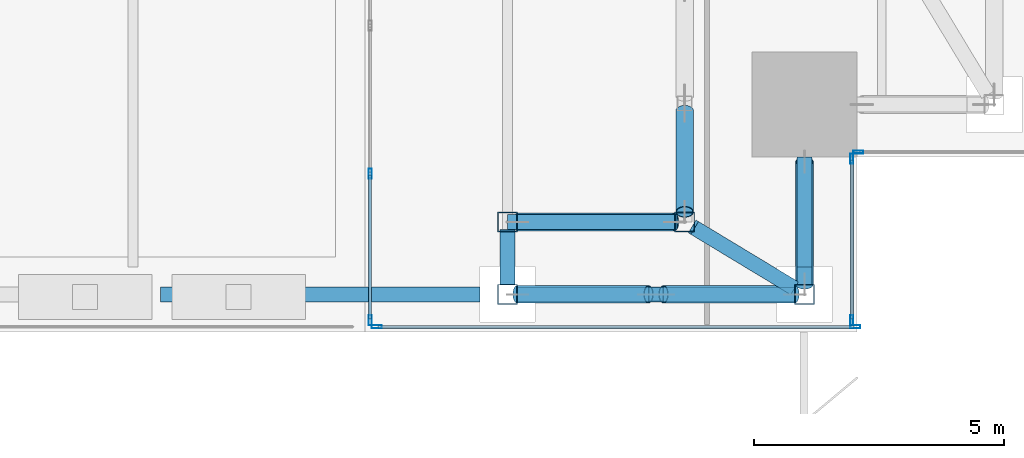
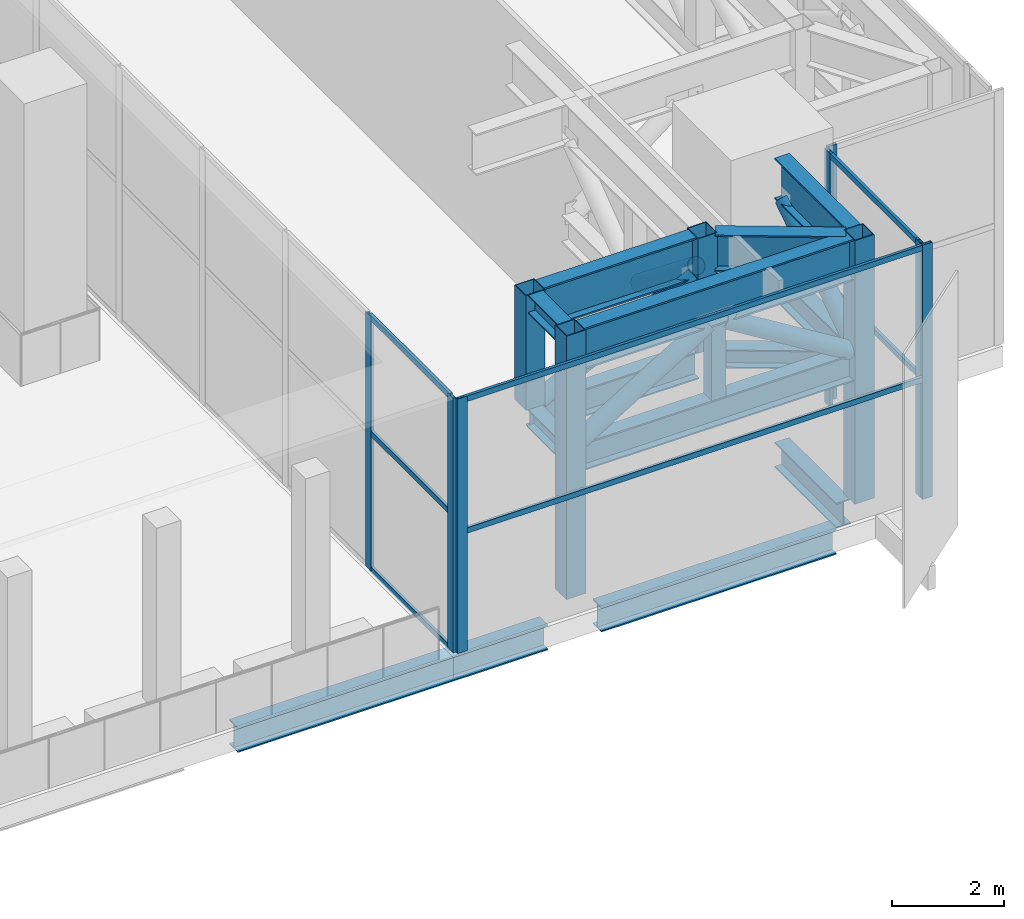
# One storey, part 12 of 47: 30 members, 7 beams, 4 elements without a shape of their own.
"""IFC4 building model written with IfcOpenShell, lengths in metres."""

from ifc_helpers import new_model, si_unit, direction, frame, origin, origin_2d, place, context, subcontext, project, spatial, hollow_rectangle, hollow_circle, i_section, extrude, source, transform, mapped, material, material_profile, profile_set, type_object, element, aggregate, save


model = new_model("IFC4")

# Units and contexts
model_context = context("Model", 3, precision=1e-05, world=origin(), true_north=direction((0.0, 1.0)))
body_context = subcontext(model_context, "Body", "Model", "MODEL_VIEW")
ifc_project = project(units=[si_unit("LENGTHUNIT", "METRE"), si_unit("AREAUNIT", "SQUARE_METRE"), si_unit("VOLUMEUNIT", "CUBIC_METRE"), si_unit("PLANEANGLEUNIT", "RADIAN"), si_unit("MASSUNIT", "GRAM", prefix="KILO")], contexts=[model_context])

# Site, building, storey
site_placement = place(None, origin())
site = spatial("IfcSite", under=ifc_project, at=site_placement, CompositionType="ELEMENT")
building_placement = place(site_placement, origin())
building = spatial("IfcBuilding", under=site, at=building_placement, Name="Khomas Fold Tower", CompositionType="ELEMENT")
storey_placement = place(building_placement, frame((0.0, 0.0, 158.699951171875)))
storey = spatial("IfcBuildingStorey", under=building, at=storey_placement, Name="L34", CompositionType="ELEMENT", Elevation=158.699951171875)

# Beams
ifc_material_1 = material(Name="Steel S355", Category="steel")
ifc_material_profile_1 = material_profile(ifc_material_1, i_section(OverallWidth=0.300048828125, OverallDepth=0.550048828125, WebThickness=0.014892578125, FlangeThickness=0.029052734375, at=origin_2d()), Name="HE 550 B")
ifc_profile_set_1 = profile_set([ifc_material_profile_1], Name="Steel S355")
beam_type_1 = type_object("IfcBeamType", Name="HE 550 B spandrel SB2", PredefinedType="SPANDREL", material=ifc_profile_set_1)
shared_shape_1 = source(origin(), body_context, "Body", "SweptSolid", [
    extrude(i_section(OverallWidth=0.300048828125, OverallDepth=0.550048828125, WebThickness=0.014892578125, FlangeThickness=0.029052734375, at=origin_2d()), origin(), (0.0, 0.0, 1.0), 4.849853515625),
])
beam_1_placement = place(storey_placement, frame((42.550048828125, 2.25, -0.724853515625), z_axis=(1.0, 0.0, 0.0), x_axis=(0.0, 1.0, 0.0)))
element("IfcBeam", 1, at=beam_1_placement, inside=storey, type_object=beam_type_1, Name="SB2", PredefinedType="SPANDREL", context=body_context, shape_type="MappedRepresentation", body=[
    mapped(shared_shape_1, transform((0.0, 0.0, 0.0))),
])
shared_shape_2 = source(origin(), body_context, "Body", "SweptSolid", [
    extrude(i_section(OverallWidth=0.300048828125, OverallDepth=0.550048828125, WebThickness=0.014892578125, FlangeThickness=0.029052734375, at=origin_2d()), origin(), (0.0, 0.0, 1.0), 6.39990234375),
])
beam_2_placement = place(storey_placement, frame((35.050048828125, 2.25, -0.724853515625), z_axis=(1.0, 0.0, 0.0), x_axis=(0.0, 1.0, 0.0)))
element("IfcBeam", 2, at=beam_2_placement, inside=storey, type_object=beam_type_1, Name="SB2", PredefinedType="SPANDREL", context=body_context, shape_type="MappedRepresentation", body=[
    mapped(shared_shape_2, transform((0.0, 0.0, 0.0))),
])
shared_shape_3 = source(origin(), body_context, "Body", "SweptSolid", [
    extrude(i_section(OverallWidth=0.300048828125, OverallDepth=0.550048828125, WebThickness=0.014892578125, FlangeThickness=0.029052734375, at=origin_2d()), origin(), (0.0, 0.0, 1.0), 2.199951171875),
])
beam_3_placement = place(storey_placement, frame((47.949951171875, 2.800048828125, -0.724853515625), z_axis=(0.0, 1.0, 0.0), x_axis=(-1.0, 0.0, 0.0)))
element("IfcBeam", 3, at=beam_3_placement, inside=storey, type_object=beam_type_1, Name="SB2", PredefinedType="SPANDREL", context=body_context, shape_type="MappedRepresentation", body=[
    mapped(shared_shape_3, transform((0.0, 0.0, 0.0))),
])

# Members
ifc_material_2 = material(Name="Steel S460M", Category="steel")
ifc_material_profile_2 = material_profile(ifc_material_2, i_section(OverallWidth=0.300048828125, OverallDepth=0.89990234375, WebThickness=0.0185546875, FlangeThickness=0.034912109375, at=origin_2d()), Name="HE 900 B")
ifc_profile_set_2 = profile_set([ifc_material_profile_2], Name="Steel S460M")
member_type_1 = type_object("IfcMemberType", Name="BELT TRUSS 2 TOP CHORD HE 900 B", PredefinedType="CHORD", material=ifc_profile_set_2)
shared_shape_4 = source(origin(), body_context, "Body", "SweptSolid", [
    extrude(i_section(OverallWidth=0.300048828125, OverallDepth=0.89990234375, WebThickness=0.0185546875, FlangeThickness=0.034912109375, at=origin_2d()), origin(), (0.0, 0.0, 1.0), 5.550048828125),
])
member_1_placement = place(storey_placement, frame((42.199951171875, 2.25, 5.300048828125), z_axis=(1.0, 0.0, 0.0), x_axis=(0.0, 1.0, 0.0)))
element("IfcMember", 4, at=member_1_placement, inside=storey, type_object=member_type_1, Name="BT2-CT", PredefinedType="CHORD", context=body_context, shape_type="MappedRepresentation", body=[
    mapped(shared_shape_4, transform((0.0, 0.0, 0.0))),
])
ifc_material_3 = material(Name="Steel S355", Category="steel")
ifc_material_profile_3 = material_profile(ifc_material_3, i_section(OverallWidth=0.300048828125, OverallDepth=0.60009765625, WebThickness=0.015380859375, FlangeThickness=0.030029296875, at=origin_2d()), Name="HE 600 B")
ifc_profile_set_3 = profile_set([ifc_material_profile_3], Name="Steel S355")
member_type_2 = type_object("IfcMemberType", Name="BELT TRUSS 2 BOTTOM CHORD SHORT HE 600 B", PredefinedType="CHORD", material=ifc_profile_set_3)
shared_shape_5 = source(origin(), body_context, "Body", "SweptSolid", [
    extrude(i_section(OverallWidth=0.300048828125, OverallDepth=0.60009765625, WebThickness=0.015380859375, FlangeThickness=0.030029296875, at=origin_2d()), origin(), (0.0, 0.0, 1.0), 5.550048828125),
])
member_2_placement = place(storey_placement, frame((42.199951171875, 2.25, 2.949951171875), z_axis=(1.0, 0.0, 0.0), x_axis=(0.0, 1.0, 0.0)))
element("IfcMember", 5, at=member_2_placement, inside=storey, type_object=member_type_2, Name="BT2-CBS", PredefinedType="CHORD", context=body_context, shape_type="MappedRepresentation", body=[
    mapped(shared_shape_5, transform((0.0, 0.0, 0.0))),
])
ifc_material_4 = material(Name="Steel S355", Category="steel")
ifc_material_profile_4 = material_profile(ifc_material_4, hollow_circle(Radius=0.177734375, WallThickness=0.01611328125, at=origin_2d()), Name="CHS 355.6x16")
ifc_profile_set_4 = profile_set([ifc_material_profile_4], Name="Steel S355")
member_type_3 = type_object("IfcMemberType", Name="BELT TRUSS 2 DIAGONAL CHS 355.6x16", PredefinedType="BRACE", material=ifc_profile_set_4)
shared_shape_6 = source(origin(), body_context, "Body", "SweptSolid", [
    extrude(hollow_circle(Radius=0.177734375, WallThickness=0.01611328125, at=origin_2d()), origin(), (0.0, 0.0, 1.0), 3.079345703125),
])
for number, where, z_axis, x_axis, name in (
    (6, (42.199951171875, 2.25, 3.2451171875), (0.852457646083, 0.0, 0.522796290762), (0.0, 1.0, 0.0), "BT2-D"),
    (7, (45.125, 2.25, 4.85498046875), (0.852457646083, 0.0, -0.522796290762), (0.0, 1.0, 0.0), "BT2-D"),
):
    element("IfcMember", number, at=place(storey_placement, frame(where, z_axis=z_axis, x_axis=x_axis)), inside=storey, type_object=member_type_3, Name=name, PredefinedType="BRACE", context=body_context, shape_type="MappedRepresentation", body=[
        mapped(shared_shape_6, transform((0.0, 0.0, 0.0))),
    ])
ifc_material_5 = material(Name="Steel S355", Category="steel")
ifc_material_profile_5 = material_profile(ifc_material_5, hollow_rectangle(XDim=0.300048828125, YDim=0.300048828125, WallThickness=0.012451171875, at=origin_2d()), Name="SHS 300x300x12.5")
ifc_profile_set_5 = profile_set([ifc_material_profile_5], Name="Steel S355")
member_type_4 = type_object("IfcMemberType", Name="BELT TRUSS 2 MID POST SHS 300x300x12.5", PredefinedType="POST", material=ifc_profile_set_5)
shared_shape_7 = source(origin(), body_context, "Body", "SweptSolid", [
    extrude(hollow_rectangle(XDim=0.300048828125, YDim=0.300048828125, WallThickness=0.012451171875, at=origin_2d()), origin(), (0.0, 0.0, 1.0), 1.60009765625),
])
member_3_placement = place(storey_placement, frame((44.97509765625, 2.25, 3.25), z_axis=(0.0, 0.0, 1.0), x_axis=(1.0, 0.0, 0.0)))
element("IfcMember", 8, at=member_3_placement, inside=storey, type_object=member_type_4, Name="BT2-M", PredefinedType="POST", context=body_context, shape_type="MappedRepresentation", body=[
    mapped(shared_shape_7, transform((0.0, 0.0, 0.0))),
])
ifc_material_6 = material(Name="Steel S460M", Category="steel")
ifc_material_profile_6 = material_profile(ifc_material_6, i_section(OverallWidth=0.300048828125, OverallDepth=0.89990234375, WebThickness=0.0185546875, FlangeThickness=0.034912109375, at=origin_2d()), Name="HE 900 B")
ifc_profile_set_6 = profile_set([ifc_material_profile_6], Name="Steel S460M")
member_type_5 = type_object("IfcMemberType", Name="BELT TRUSS 2 TOP CHORD SHORTER HE 900 B", PredefinedType="CHORD", material=ifc_profile_set_6)
shared_shape_8 = source(origin(), body_context, "Body", "SweptSolid", [
    extrude(i_section(OverallWidth=0.300048828125, OverallDepth=0.89990234375, WebThickness=0.0185546875, FlangeThickness=0.034912109375, at=origin_2d()), origin(), (0.0, 0.0, 1.0), 2.550048828125),
])
member_4_placement = place(storey_placement, frame((47.949951171875, 2.449951171875, 5.300048828125), z_axis=(0.0, 1.0, 0.0), x_axis=(-1.0, 0.0, 0.0)))
element("IfcMember", 9, at=member_4_placement, inside=storey, type_object=member_type_5, Name="BT2-CTSS", PredefinedType="CHORD", context=body_context, shape_type="MappedRepresentation", body=[
    mapped(shared_shape_8, transform((0.0, 0.0, 0.0))),
])
ifc_material_7 = material(Name="Steel S355", Category="steel")
ifc_material_profile_7 = material_profile(ifc_material_7, i_section(OverallWidth=0.300048828125, OverallDepth=0.60009765625, WebThickness=0.015380859375, FlangeThickness=0.030029296875, at=origin_2d()), Name="HE 600 B")
ifc_profile_set_7 = profile_set([ifc_material_profile_7], Name="Steel S355")
member_type_6 = type_object("IfcMemberType", Name="BELT TRUSS 2 BOTTOM CHORD SHORTER HE 600 B", PredefinedType="CHORD", material=ifc_profile_set_7)
shared_shape_9 = source(origin(), body_context, "Body", "SweptSolid", [
    extrude(i_section(OverallWidth=0.300048828125, OverallDepth=0.60009765625, WebThickness=0.015380859375, FlangeThickness=0.030029296875, at=origin_2d()), origin(), (0.0, 0.0, 1.0), 2.550048828125),
])
member_5_placement = place(storey_placement, frame((47.949951171875, 2.449951171875, 2.949951171875), z_axis=(0.0, 1.0, 0.0), x_axis=(-1.0, 0.0, 0.0)))
element("IfcMember", 10, at=member_5_placement, inside=storey, type_object=member_type_6, Name="BT2-CBSS", PredefinedType="CHORD", context=body_context, shape_type="MappedRepresentation", body=[
    mapped(shared_shape_9, transform((0.0, 0.0, 0.0))),
])
shared_shape_10 = source(origin(), body_context, "Body", "SweptSolid", [
    extrude(hollow_circle(Radius=0.177734375, WallThickness=0.01611328125, at=origin_2d()), origin(), (0.0, 0.0, 1.0), 2.936279296875),
])
member_6_placement = place(storey_placement, frame((47.949951171875, 2.449951171875, 3.2451171875), z_axis=(0.0, 0.836298117849, 0.548274984002), x_axis=(-1.0, 0.0, 0.0)))
element("IfcMember", 11, at=member_6_placement, inside=storey, type_object=member_type_3, Name="BT2-D", PredefinedType="BRACE", context=body_context, shape_type="MappedRepresentation", body=[
    mapped(shared_shape_10, transform((0.0, 0.0, 0.0))),
])
ifc_material_8 = material(Name="Steel S460M", Category="steel")
ifc_material_profile_8 = material_profile(ifc_material_8, i_section(OverallWidth=0.300048828125, OverallDepth=0.89990234375, WebThickness=0.0185546875, FlangeThickness=0.034912109375, at=origin_2d()), Name="HE 900 B")
ifc_profile_set_8 = profile_set([ifc_material_profile_8], Name="Steel S460M")
member_type_7 = type_object("IfcMemberType", Name="BELT TRUSS 2 TOP CHORD SHORT HE 900 B", PredefinedType="CHORD", material=ifc_profile_set_8)
shared_shape_11 = source(origin(), body_context, "Body", "SweptSolid", [
    extrude(i_section(OverallWidth=0.300048828125, OverallDepth=0.89990234375, WebThickness=0.0185546875, FlangeThickness=0.034912109375, at=origin_2d()), origin(), (0.0, 0.0, 1.0), 3.150146484375),
])
member_7_placement = place(storey_placement, frame((42.199951171875, 3.699951171875, 5.300048828125), z_axis=(1.0, 0.0, 0.0), x_axis=(0.0, 1.0, 0.0)))
element("IfcMember", 12, at=member_7_placement, inside=storey, type_object=member_type_7, Name="BT2-CTS", PredefinedType="CHORD", context=body_context, shape_type="MappedRepresentation", body=[
    mapped(shared_shape_11, transform((0.0, 0.0, 0.0))),
])
shared_shape_12 = source(origin(), body_context, "Body", "SweptSolid", [
    extrude(i_section(OverallWidth=0.300048828125, OverallDepth=0.60009765625, WebThickness=0.015380859375, FlangeThickness=0.030029296875, at=origin_2d()), origin(), (0.0, 0.0, 1.0), 3.39990234375),
])
member_8_placement = place(storey_placement, frame((42.0, 3.699951171875, 2.949951171875), z_axis=(1.0, 0.0, 0.0), x_axis=(0.0, 1.0, 0.0)))
element("IfcMember", 13, at=member_8_placement, inside=storey, type_object=member_type_6, Name="BT2-CBSS", PredefinedType="CHORD", context=body_context, shape_type="MappedRepresentation", body=[
    mapped(shared_shape_12, transform((0.0, 0.0, 0.0))),
])
shared_shape_13 = source(origin(), body_context, "Body", "SweptSolid", [
    extrude(hollow_circle(Radius=0.177734375, WallThickness=0.01611328125, at=origin_2d()), origin(), (0.0, 0.0, 1.0), 3.53759765625),
])
member_9_placement = place(storey_placement, frame((42.199951171875, 3.699951171875, 3.2451171875), z_axis=(0.890458918819, 0.0, 0.455063637193), x_axis=(0.0, 1.0, 0.0)))
element("IfcMember", 14, at=member_9_placement, inside=storey, type_object=member_type_3, Name="BT2-D", PredefinedType="BRACE", context=body_context, shape_type="MappedRepresentation", body=[
    mapped(shared_shape_13, transform((0.0, 0.0, 0.0))),
])
shared_shape_14 = source(origin(), body_context, "Body", "SweptSolid", [
    extrude(hollow_circle(Radius=0.177734375, WallThickness=0.01611328125, at=origin_2d()), origin(), (0.0, 0.0, 1.0), 2.587158203125),
])
member_10_placement = place(storey_placement, frame((45.550048828125, 3.89990234375, 4.85498046875), z_axis=(0.0, 0.782798501994, -0.622275264876), x_axis=(-1.0, 0.0, 0.0)))
element("IfcMember", 15, at=member_10_placement, inside=storey, type_object=member_type_3, Name="BT2-D", PredefinedType="BRACE", context=body_context, shape_type="MappedRepresentation", body=[
    mapped(shared_shape_14, transform((0.0, 0.0, 0.0))),
])
ifc_material_9 = material(Name="Steel S460M", Category="steel")
ifc_material_profile_9 = material_profile(ifc_material_9, hollow_rectangle(XDim=0.39990234375, YDim=0.39990234375, WallThickness=0.01611328125, at=origin_2d()), Name="SHS 400x400x16")
ifc_profile_set_9 = profile_set([ifc_material_profile_9], Name="Steel S460M")
member_type_8 = type_object("IfcMemberType", Name="BELT TRUSS 2 COLUMN POST SHS 400x400x16", PredefinedType="POST", material=ifc_profile_set_9)
shared_shape_15 = source(origin(), body_context, "Body", "SweptSolid", [
    extrude(hollow_rectangle(XDim=0.39990234375, YDim=0.39990234375, WallThickness=0.01611328125, at=origin_2d()), origin(), (0.0, 0.0, 1.0), 5.75),
])
for number, where, z_axis, x_axis, name in (
    (16, (42.0, 2.25, 0.0), (0.0, 0.0, 1.0), (1.0, 0.0, 0.0), "BT2-P"),
    (17, (47.949951171875, 2.25, 0.0), (0.0, 0.0, 1.0), (1.0, 0.0, 0.0), "BT2-P"),
):
    element("IfcMember", number, at=place(storey_placement, frame(where, z_axis=z_axis, x_axis=x_axis)), inside=storey, type_object=member_type_8, Name=name, PredefinedType="POST", context=body_context, shape_type="MappedRepresentation", body=[
        mapped(shared_shape_15, transform((0.0, 0.0, 0.0))),
    ])
ifc_material_10 = material(Name="Steel S460M", Category="steel")
ifc_material_profile_10 = material_profile(ifc_material_10, hollow_rectangle(XDim=0.39990234375, YDim=0.39990234375, WallThickness=0.01611328125, at=origin_2d()), Name="SHS 400x400x16")
ifc_profile_set_10 = profile_set([ifc_material_profile_10], Name="Steel S460M")
member_type_9 = type_object("IfcMemberType", Name="BELT TRUSS 2 COLUMN POST SHORT SHS 400x400x16", PredefinedType="POST", material=ifc_profile_set_10)
shared_shape_16 = source(origin(), body_context, "Body", "SweptSolid", [
    extrude(hollow_rectangle(XDim=0.39990234375, YDim=0.39990234375, WallThickness=0.01611328125, at=origin_2d()), origin(), (0.0, 0.0, 1.0), 2.5),
])
for number, where, z_axis, x_axis, name in (
    (18, (42.0, 3.699951171875, 3.25), (0.0, 0.0, 1.0), (1.0, 0.0, 0.0), "BT2-PS"),
    (19, (45.550048828125, 3.699951171875, 3.25), (0.0, 0.0, 1.0), (1.0, 0.0, 0.0), "BT2-PS"),
):
    element("IfcMember", number, at=place(storey_placement, frame(where, z_axis=z_axis, x_axis=x_axis)), inside=storey, type_object=member_type_9, Name=name, PredefinedType="POST", context=body_context, shape_type="MappedRepresentation", body=[
        mapped(shared_shape_16, transform((0.0, 0.0, 0.0))),
    ])

# Beams
ifc_material_11 = material(Name="Steel S460M", Category="steel")
ifc_material_profile_11 = material_profile(ifc_material_11, i_section(OverallWidth=0.300048828125, OverallDepth=0.800048828125, WebThickness=0.017578125, FlangeThickness=0.032958984375, at=origin_2d()), Name="HE 800 B")
ifc_profile_set_11 = profile_set([ifc_material_profile_11], Name="Steel S460M")
beam_type_2 = type_object("IfcBeamType", Name="BELT TRUSS 2 TOP TRANSFER STRUT HE 800 B", PredefinedType="BEAM", material=ifc_profile_set_11)
shared_shape_17 = source(origin(), body_context, "Body", "SweptSolid", [
    extrude(i_section(OverallWidth=0.300048828125, OverallDepth=0.800048828125, WebThickness=0.017578125, FlangeThickness=0.032958984375, at=origin_2d()), origin(), (0.0, 0.0, 1.0), 2.336669921875),
])
beam_4_placement = place(storey_placement, frame((45.75, 3.5791015625, 5.35009765625), z_axis=(0.855930956657, -0.517090125061, 0.0), x_axis=(0.517090125061, 0.855930956657, 0.0)))
element("IfcBeam", 20, at=beam_4_placement, inside=storey, type_object=beam_type_2, Name="BT2-STD", PredefinedType="BEAM", context=body_context, shape_type="MappedRepresentation", body=[
    mapped(shared_shape_17, transform((0.0, 0.0, 0.0))),
])
ifc_material_12 = material(Name="Steel S355", Category="steel")
ifc_material_profile_12 = material_profile(ifc_material_12, i_section(OverallWidth=0.300048828125, OverallDepth=0.39990234375, WebThickness=0.013427734375, FlangeThickness=0.02392578125, at=origin_2d()), Name="HE 400 B")
ifc_profile_set_12 = profile_set([ifc_material_profile_12], Name="Steel S355")
beam_type_3 = type_object("IfcBeamType", Name="BELT TRUSS 2 BOTTOM STRUT LONG HE 400 B", PredefinedType="BEAM", material=ifc_profile_set_12)
shared_shape_18 = source(origin(), body_context, "Body", "SweptSolid", [
    extrude(i_section(OverallWidth=0.300048828125, OverallDepth=0.39990234375, WebThickness=0.013427734375, FlangeThickness=0.02392578125, at=origin_2d()), origin(), (0.0, 0.0, 1.0), 2.39501953125),
])
beam_5_placement = place(storey_placement, frame((45.699951171875, 3.609375, 3.050048828125), z_axis=(0.855924001063, -0.51710163837, 0.0), x_axis=(0.51710163837, 0.855924001063, 0.0)))
element("IfcBeam", 21, at=beam_5_placement, inside=storey, type_object=beam_type_3, Name="BT2-SBL", PredefinedType="BEAM", context=body_context, shape_type="MappedRepresentation", body=[
    mapped(shared_shape_18, transform((0.0, 0.0, 0.0))),
])
ifc_material_13 = material(Name="Steel S355", Category="steel")
ifc_material_profile_13 = material_profile(ifc_material_13, i_section(OverallWidth=0.300048828125, OverallDepth=0.39990234375, WebThickness=0.013427734375, FlangeThickness=0.02392578125, at=origin_2d()), Name="HE 400 B")
ifc_profile_set_13 = profile_set([ifc_material_profile_13], Name="Steel S355")
beam_type_4 = type_object("IfcBeamType", Name="BELT TRUSS 2 TOP STRUT HE 400 B", PredefinedType="BEAM", material=ifc_profile_set_13)
shared_shape_19 = source(origin(), body_context, "Body", "SweptSolid", [
    extrude(i_section(OverallWidth=0.300048828125, OverallDepth=0.39990234375, WebThickness=0.013427734375, FlangeThickness=0.02392578125, at=origin_2d()), origin(), (0.0, 0.0, 1.0), 1.050048828125),
])
beam_6_placement = place(storey_placement, frame((42.0, 3.5, 5.550048828125), z_axis=(0.0, -1.0, 0.0), x_axis=(1.0, 0.0, 0.0)))
element("IfcBeam", 22, at=beam_6_placement, inside=storey, type_object=beam_type_4, Name="BT2-ST", PredefinedType="BEAM", context=body_context, shape_type="MappedRepresentation", body=[
    mapped(shared_shape_19, transform((0.0, 0.0, 0.0))),
])
ifc_material_14 = material(Name="Steel S355", Category="steel")
ifc_material_profile_14 = material_profile(ifc_material_14, i_section(OverallWidth=0.300048828125, OverallDepth=0.39990234375, WebThickness=0.013427734375, FlangeThickness=0.02392578125, at=origin_2d()), Name="HE 400 B")
ifc_profile_set_14 = profile_set([ifc_material_profile_14], Name="Steel S355")
beam_type_5 = type_object("IfcBeamType", Name="BELT TRUSS 2 BOTTOM STRUT HE 400 B", PredefinedType="BEAM", material=ifc_profile_set_14)
shared_shape_20 = source(origin(), body_context, "Body", "SweptSolid", [
    extrude(i_section(OverallWidth=0.300048828125, OverallDepth=0.39990234375, WebThickness=0.013427734375, FlangeThickness=0.02392578125, at=origin_2d()), origin(), (0.0, 0.0, 1.0), 1.10009765625),
])
beam_7_placement = place(storey_placement, frame((42.0, 3.550048828125, 3.050048828125), z_axis=(0.0, -1.0, 0.0), x_axis=(1.0, 0.0, 0.0)))
element("IfcBeam", 23, at=beam_7_placement, inside=storey, type_object=beam_type_5, Name="BT2-SB", PredefinedType="BEAM", context=body_context, shape_type="MappedRepresentation", body=[
    mapped(shared_shape_20, transform((0.0, 0.0, 0.0))),
])

# Curtain wall, members
ifc_material_15 = material(Name="Aluminium framed double glazing", Category="aluminium")
curtain_wall_type_1 = type_object("IfcCurtainWallType", Name="SK-Unitised clear-glass wall, growing floors CW1", PredefinedType="NOTDEFINED", material=ifc_material_15)
curtain_wall_1_placement = place(storey_placement, origin())
curtain_wall_1 = element("IfcCurtainWall", 24, at=curtain_wall_1_placement, inside=storey, type_object=curtain_wall_type_1, Name="CW1 corner return L34 06", PredefinedType="NOTDEFINED")
ifc_material_16 = material(Name="Aluminium", Category="aluminium")
ifc_material_profile_15 = material_profile(ifc_material_16, hollow_rectangle(XDim=0.06005859375, YDim=0.1201171875, WallThickness=0.00390625, at=origin_2d()), Name="SK-Unitised clear-glass wall, growing floors transom CW1-T")
ifc_profile_set_15 = profile_set([ifc_material_profile_15], Name="Aluminium")
member_type_10 = type_object("IfcMemberType", Name="SK-Unitised clear-glass wall, growing floors transom CW1-T", PredefinedType="USERDEFINED", material=ifc_profile_set_15)
shared_shape_21 = source(origin(), body_context, "Body", "SweptSolid", [
    extrude(hollow_rectangle(XDim=0.06005859375, YDim=0.1201171875, WallThickness=0.00390625, at=origin_2d()), origin(), (0.0, 0.0, 1.0), 3.179931640625),
])
member_11_placement = place(storey_placement, frame((48.89990234375, 1.760009765625, 5.489990234375), z_axis=(0.0, 1.0, 0.0), x_axis=(-1.0, 0.0, 0.0)))
member_11 = element("IfcMember", 25, at=member_11_placement, type_object=member_type_10, Name="CW1 transom 1", ObjectType="TRANSOM", PredefinedType="USERDEFINED", context=body_context, shape_type="MappedRepresentation", body=[
    mapped(shared_shape_21, transform((0.0, 0.0, 0.0))),
])
member_12_placement = place(storey_placement, frame((48.89990234375, 1.760009765625, 2.6171875), z_axis=(0.0, 1.0, 0.0), x_axis=(-1.0, 0.0, 0.0)))
member_12 = element("IfcMember", 26, at=member_12_placement, type_object=member_type_10, Name="CW1 transom 1 (truss floor)", ObjectType="TRANSOM", PredefinedType="USERDEFINED", context=body_context, shape_type="MappedRepresentation", body=[
    mapped(shared_shape_21, transform((0.0, 0.0, 0.0))),
])

curtain_wall_2_placement = place(storey_placement, origin())
curtain_wall_2 = element("IfcCurtainWall", 27, at=curtain_wall_2_placement, inside=storey, type_object=curtain_wall_type_1, Name="CW1 run L34 05-0", PredefinedType="NOTDEFINED")
ifc_material_17 = material(Name="Aluminium", Category="aluminium")
ifc_material_profile_16 = material_profile(ifc_material_17, hollow_rectangle(XDim=0.06005859375, YDim=0.199951171875, WallThickness=0.00390625, at=origin_2d()), Name="SK-Unitised clear-glass wall, growing floors mullion CW1-M")
ifc_profile_set_16 = profile_set([ifc_material_profile_16], Name="Aluminium")
member_type_11 = type_object("IfcMemberType", Name="SK-Unitised clear-glass wall, growing floors mullion CW1-M", PredefinedType="MULLION", material=ifc_profile_set_16)
shared_shape_22 = source(origin(), body_context, "Body", "SweptSolid", [
    extrude(hollow_rectangle(XDim=0.06005859375, YDim=0.199951171875, WallThickness=0.00390625, at=origin_2d()), origin(), (0.0, 0.0, 1.0), 5.550048828125),
])
member_13_placement = place(storey_placement, frame((39.3798828125, 1.60009765625, 0.0), z_axis=(0.0, 0.0, 1.0), x_axis=(0.0, 1.0, 0.0)))
member_13 = element("IfcMember", 28, at=member_13_placement, type_object=member_type_11, Name="CW1 mullion 1", PredefinedType="MULLION", context=body_context, shape_type="MappedRepresentation", body=[
    mapped(shared_shape_22, transform((0.0, 0.0, 0.0))),
])
member_14_placement = place(storey_placement, frame((48.969970703125, 1.60009765625, 0.0), z_axis=(0.0, 0.0, 1.0), x_axis=(0.0, 1.0, 0.0)))
member_14 = element("IfcMember", 29, at=member_14_placement, type_object=member_type_11, Name="CW1 mullion 2", PredefinedType="MULLION", context=body_context, shape_type="MappedRepresentation", body=[
    mapped(shared_shape_22, transform((0.0, 0.0, 0.0))),
])

# Member
member_15_placement = place(storey_placement, frame((48.89990234375, 1.72998046875, 0.0), z_axis=(0.0, 0.0, 1.0), x_axis=(-1.0, 0.0, 0.0)))
member_15 = element("IfcMember", 30, at=member_15_placement, type_object=member_type_11, Name="CW1 mullion 1", PredefinedType="MULLION", context=body_context, shape_type="MappedRepresentation", body=[
    mapped(shared_shape_22, transform((0.0, 0.0, 0.0))),
])

member_16_placement = place(storey_placement, frame((48.89990234375, 4.969970703125, 0.0), z_axis=(0.0, 0.0, 1.0), x_axis=(-1.0, 0.0, 0.0)))
member_16 = element("IfcMember", 31, at=member_16_placement, type_object=member_type_11, Name="CW1 mullion 2", PredefinedType="MULLION", context=body_context, shape_type="MappedRepresentation", body=[
    mapped(shared_shape_22, transform((0.0, 0.0, 0.0))),
])

aggregate(curtain_wall_1, [member_15, member_16, member_11, member_12])

# Curtain wall, member
curtain_wall_3_placement = place(storey_placement, origin())
curtain_wall_3 = element("IfcCurtainWall", 32, at=curtain_wall_3_placement, inside=storey, type_object=curtain_wall_type_1, Name="CW1 corner return L34 07", PredefinedType="NOTDEFINED")
member_17_placement = place(storey_placement, frame((49.030029296875, 5.10009765625, 0.0), z_axis=(0.0, 0.0, 1.0), x_axis=(0.0, 1.0, 0.0)))
member_17 = element("IfcMember", 33, at=member_17_placement, type_object=member_type_11, Name="CW1 mullion 1", PredefinedType="MULLION", context=body_context, shape_type="MappedRepresentation", body=[
    mapped(shared_shape_22, transform((0.0, 0.0, 0.0))),
])
aggregate(curtain_wall_3, [member_17])

# Member
shared_shape_23 = source(origin(), body_context, "Body", "SweptSolid", [
    extrude(hollow_rectangle(XDim=0.06005859375, YDim=0.1201171875, WallThickness=0.00390625, at=origin_2d()), origin(), (0.0, 0.0, 1.0), 9.530029296875),
])
member_18_placement = place(storey_placement, frame((39.409912109375, 1.60009765625, 5.489990234375), z_axis=(1.0, 0.0, 0.0), x_axis=(0.0, 1.0, 0.0)))
member_18 = element("IfcMember", 34, at=member_18_placement, type_object=member_type_10, Name="CW1 transom 1", ObjectType="TRANSOM", PredefinedType="USERDEFINED", context=body_context, shape_type="MappedRepresentation", body=[
    mapped(shared_shape_23, transform((0.0, 0.0, 0.0))),
])

member_19_placement = place(storey_placement, frame((39.409912109375, 1.60009765625, 2.6171875), z_axis=(1.0, 0.0, 0.0), x_axis=(0.0, 1.0, 0.0)))
member_19 = element("IfcMember", 35, at=member_19_placement, type_object=member_type_10, Name="CW1 transom 1 (truss floor)", ObjectType="TRANSOM", PredefinedType="USERDEFINED", context=body_context, shape_type="MappedRepresentation", body=[
    mapped(shared_shape_23, transform((0.0, 0.0, 0.0))),
])

aggregate(curtain_wall_2, [member_13, member_14, member_18, member_19])

# Curtain wall, members
ifc_material_18 = material(Name="Aluminium framed double glazing", Category="aluminium")
curtain_wall_type_2 = type_object("IfcCurtainWallType", Name="Notch glazing GN-CW", PredefinedType="NOTDEFINED", material=ifc_material_18)
curtain_wall_4_placement = place(storey_placement, origin())
curtain_wall_4 = element("IfcCurtainWall", 36, at=curtain_wall_4_placement, inside=storey, type_object=curtain_wall_type_2, Name="Notch glazing run", PredefinedType="NOTDEFINED")
ifc_material_19 = material(Name="Aluminium", Category="aluminium")
ifc_material_profile_17 = material_profile(ifc_material_19, hollow_rectangle(XDim=0.06005859375, YDim=0.199951171875, WallThickness=0.00390625, at=origin_2d()), Name="Notch glazing mullion GN-CW-M")
ifc_profile_set_17 = profile_set([ifc_material_profile_17], Name="Aluminium")
member_type_12 = type_object("IfcMemberType", Name="Notch glazing mullion GN-CW-M", PredefinedType="MULLION", material=ifc_profile_set_17)
shared_shape_24 = source(origin(), body_context, "Body", "SweptSolid", [
    extrude(hollow_rectangle(XDim=0.06005859375, YDim=0.199951171875, WallThickness=0.00390625, at=origin_2d()), origin(), (0.0, 0.0, 1.0), 5.550048828125),
])
member_20_placement = place(storey_placement, frame((39.25, 4.666748046875, 0.0), z_axis=(0.0, 0.0, 1.0), x_axis=(1.0, 0.0, 0.0)))
member_20 = element("IfcMember", 37, at=member_20_placement, type_object=member_type_12, Name="GN-CW mullion 6", PredefinedType="MULLION", context=body_context, shape_type="MappedRepresentation", body=[
    mapped(shared_shape_24, transform((0.0, 0.0, 0.0))),
])
member_21_placement = place(storey_placement, frame((39.25, 1.72998046875, 0.0), z_axis=(0.0, 0.0, 1.0), x_axis=(1.0, 0.0, 0.0)))
member_21 = element("IfcMember", 38, at=member_21_placement, type_object=member_type_12, Name="GN-CW mullion 7", PredefinedType="MULLION", context=body_context, shape_type="MappedRepresentation", body=[
    mapped(shared_shape_24, transform((0.0, 0.0, 0.0))),
])
ifc_material_20 = material(Name="Aluminium", Category="aluminium")
ifc_material_profile_18 = material_profile(ifc_material_20, hollow_rectangle(XDim=0.06005859375, YDim=0.1201171875, WallThickness=0.00390625, at=origin_2d()), Name="Notch glazing transom GN-CW-T")
ifc_profile_set_18 = profile_set([ifc_material_profile_18], Name="Aluminium")
member_type_13 = type_object("IfcMemberType", Name="Notch glazing transom GN-CW-T", PredefinedType="USERDEFINED", material=ifc_profile_set_18)
shared_shape_25 = source(origin(), body_context, "Body", "SweptSolid", [
    extrude(hollow_rectangle(XDim=0.06005859375, YDim=0.1201171875, WallThickness=0.00390625, at=origin_2d()), origin(), (0.0, 0.0, 1.0), 2.876708984375),
])
member_22_placement = place(storey_placement, frame((39.25, 4.63671875, 0.030029296875), z_axis=(0.0, -1.0, 0.0), x_axis=(1.0, 0.0, 0.0)))
member_22 = element("IfcMember", 39, at=member_22_placement, type_object=member_type_13, Name="GN-CW transom 6.1", ObjectType="TRANSOM", PredefinedType="USERDEFINED", context=body_context, shape_type="MappedRepresentation", body=[
    mapped(shared_shape_25, transform((0.0, 0.0, 0.0))),
])
member_23_placement = place(storey_placement, frame((39.25, 4.63671875, 3.0), z_axis=(0.0, -1.0, 0.0), x_axis=(1.0, 0.0, 0.0)))
member_23 = element("IfcMember", 40, at=member_23_placement, type_object=member_type_13, Name="GN-CW transom 6.2", ObjectType="TRANSOM", PredefinedType="USERDEFINED", context=body_context, shape_type="MappedRepresentation", body=[
    mapped(shared_shape_25, transform((0.0, 0.0, 0.0))),
])
member_24_placement = place(storey_placement, frame((39.25, 4.63671875, 5.52001953125), z_axis=(0.0, -1.0, 0.0), x_axis=(1.0, 0.0, 0.0)))
member_24 = element("IfcMember", 41, at=member_24_placement, type_object=member_type_13, Name="GN-CW transom 6.3", ObjectType="TRANSOM", PredefinedType="USERDEFINED", context=body_context, shape_type="MappedRepresentation", body=[
    mapped(shared_shape_25, transform((0.0, 0.0, 0.0))),
])
aggregate(curtain_wall_4, [member_20, member_21, member_22, member_23, member_24])

save(model, "model.ifc")
